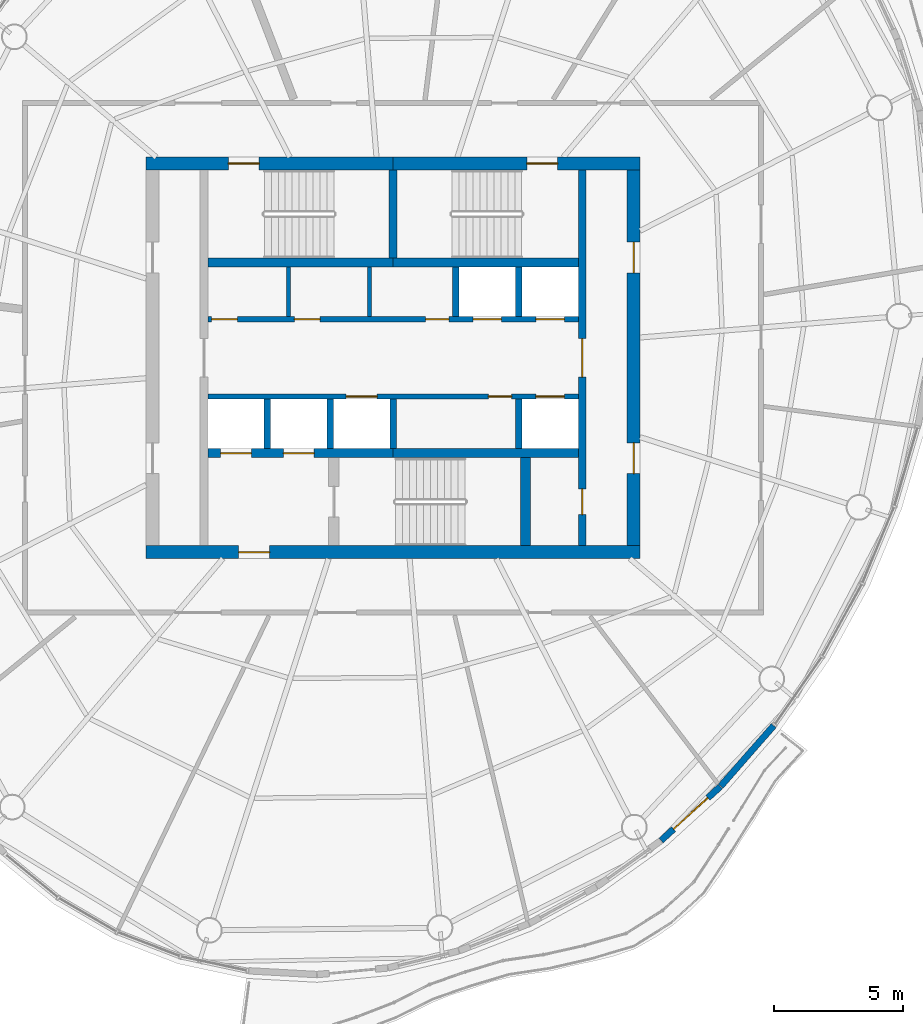
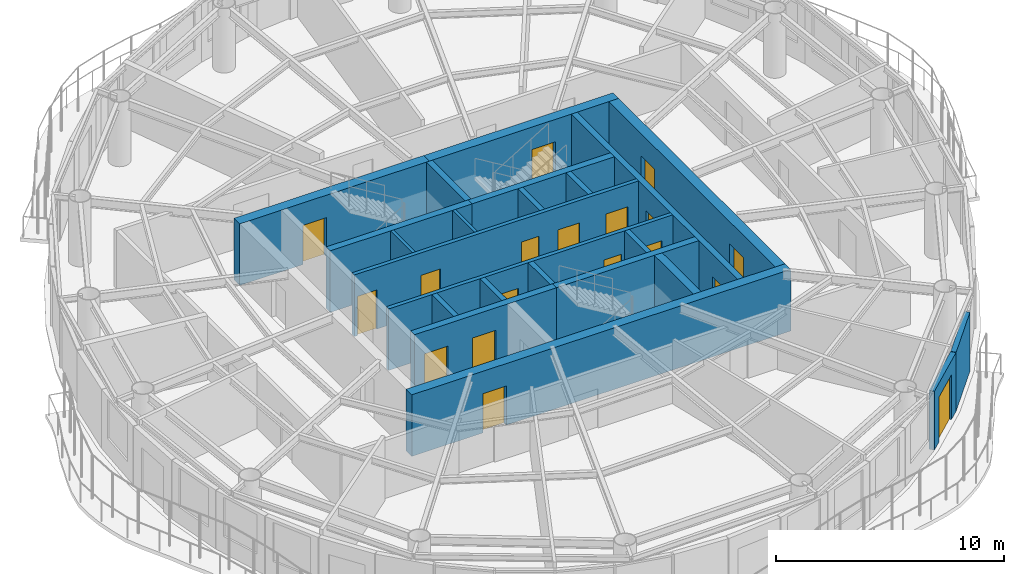
# One storey, part 8 of 13: 23 walls, 18 doors, 18 openings.
"""IFC4 building model written with IfcOpenShell, lengths in metres."""

from ifc_helpers import new_model, si_unit, direction, frame, frame_2d, origin, place, context, subcontext, project, spatial, rectangle, extrude, material, layer, layer_set, type_object, element, fill, save


model = new_model("IFC4")

# Units and contexts
model_context = context("Model", 3, precision=1e-05, world=origin(), true_north=direction((0.0, 1.0)))
body_context = subcontext(model_context, "Body", "Model", "MODEL_VIEW")
ifc_project = project(units=[si_unit("LENGTHUNIT", "METRE"), si_unit("AREAUNIT", "SQUARE_METRE"), si_unit("VOLUMEUNIT", "CUBIC_METRE"), si_unit("PLANEANGLEUNIT", "RADIAN"), si_unit("MASSUNIT", "GRAM", prefix="KILO")], contexts=[model_context])

# Site, building, storey
site_placement = place(None, origin())
site = spatial("IfcSite", under=ifc_project, at=site_placement, CompositionType="ELEMENT")
building_placement = place(site_placement, origin())
building = spatial("IfcBuilding", under=site, at=building_placement, Name="Vermilion Reach Broadcast Tower", CompositionType="ELEMENT")
storey_placement = place(building_placement, frame((0.0, 0.0, 290.10009765625)))
storey = spatial("IfcBuildingStorey", under=building, at=storey_placement, Name="L72", CompositionType="ELEMENT", Elevation=290.10009765625)

# Wall, openings, doors
ifc_material_1 = material(Name="Concrete C50", Category="concrete")
ifc_layer_1 = layer(ifc_material_1, 0.300048828125)
ifc_layer_set_1 = layer_set([ifc_layer_1], Name="Core inner wall 300 mm Concrete C50")
wall_type_1 = type_object("IfcWallType", Name="Core inner wall 300 mm Concrete C50", PredefinedType="SHEAR", material=ifc_layer_set_1)
wall_1_placement = place(storey_placement, frame((1.35009765625, -7.300048828125, 0.0), z_axis=(0.0, 0.0, 1.0), x_axis=(0.0, 1.0, 0.0)))
wall_1 = element("IfcWall", 1, at=wall_1_placement, inside=storey, type_object=wall_type_1, Name="L72 core wall ewE", PredefinedType="SHEAR", context=body_context, shape_type="SweptSolid", body=[
    extrude(rectangle(XDim=14.60009765625, YDim=0.300048828125, at=frame_2d((7.300048828125, 0.0))), origin(), (0.0, 0.0, 1.0), 3.2998046875),
])
opening_1_placement = place(wall_1_placement, frame((1.2099609375, 0.0, 0.0)))
opening_1 = element("IfcOpeningElement", 2, at=opening_1_placement, cuts=wall_1, Name="Opening D05", PredefinedType="OPENING", context=body_context, shape_type="SweptSolid", body=[
    extrude(rectangle(XDim=1.0, YDim=2.10009765625, at=frame_2d((0.5, 1.050048828125))), frame((0.0, 0.159912109375, 0.0), z_axis=(0.0, -1.0, 0.0), x_axis=(1.0, 0.0, 0.0)), (0.0, 0.0, 1.0), 0.320068359375),
])
opening_2_placement = place(wall_1_placement, frame((6.550048828125, 0.0, 0.0)))
opening_2 = element("IfcOpeningElement", 3, at=opening_2_placement, cuts=wall_1, Name="Opening D04", PredefinedType="OPENING", context=body_context, shape_type="SweptSolid", body=[
    extrude(rectangle(XDim=1.5, YDim=2.10009765625, at=frame_2d((0.75, 1.050048828125))), frame((0.0, 0.159912109375, 0.0), z_axis=(0.0, -1.0, 0.0), x_axis=(1.0, 0.0, 0.0)), (0.0, 0.0, 1.0), 0.320068359375),
])
ifc_material_2 = material(Name="Painted steel fire door", Category="steel")
door_type_1 = type_object("IfcDoorType", Name="Lift lobby door 1500 x 2100", OperationType="DOUBLE_DOOR_SINGLE_SWING", PredefinedType="NOTDEFINED", material=ifc_material_2)
door_1_placement = place(opening_2_placement, origin())
door_1 = element("IfcDoor", 4, at=door_1_placement, inside=storey, type_object=door_type_1, Name="L72 band door BE", OperationType="DOUBLE_DOOR_SINGLE_SWING", OverallHeight=2.10009765625, OverallWidth=1.5, PredefinedType="NOTDEFINED", context=body_context, shape_type="SweptSolid", body=[
    extrude(rectangle(XDim=1.5, YDim=2.10009765625, at=frame_2d((0.75, 1.050048828125))), frame((0.0, 0.02490234375, 0.0), z_axis=(0.0, -1.0, 0.0), x_axis=(1.0, 0.0, 0.0)), (0.0, 0.0, 1.0), 0.050048828125),
])
fill(opening_2, door_1)
ifc_material_3 = material(Name="Timber door", Category="wood")
door_type_2 = type_object("IfcDoorType", Name="Room door 1000 x 2100", OperationType="NOTDEFINED", PredefinedType="NOTDEFINED", material=ifc_material_3)
door_2_placement = place(opening_1_placement, origin())
door_2 = element("IfcDoor", 5, at=door_2_placement, inside=storey, type_object=door_type_2, Name="L72 door SER", OperationType="SINGLE_SWING_LEFT", OverallHeight=2.10009765625, OverallWidth=1.0, PredefinedType="NOTDEFINED", context=body_context, shape_type="SweptSolid", body=[
    extrude(rectangle(XDim=1.0, YDim=2.10009765625, at=frame_2d((0.5, 1.050048828125))), frame((0.0, 0.02490234375, 0.0), z_axis=(0.0, -1.0, 0.0), x_axis=(1.0, 0.0, 0.0)), (0.0, 0.0, 1.0), 0.050048828125),
])
fill(opening_1, door_2)

# Walls
wall_2_placement = place(storey_placement, frame((-6.0, 3.8798828125, 0.0), z_axis=(0.0, 0.0, 1.0), x_axis=(0.0, 1.0, 0.0)))
element("IfcWall", 6, at=wall_2_placement, inside=storey, type_object=wall_type_1, Name="L72 core wall wc", PredefinedType="SHEAR", context=body_context, shape_type="SweptSolid", body=[
    extrude(rectangle(XDim=3.420166015625, YDim=0.300048828125, at=frame_2d((1.7099609375, 0.0))), origin(), (0.0, 0.0, 1.0), 3.2998046875),
])
ifc_material_4 = material(Name="Concrete C50", Category="concrete")
ifc_layer_2 = layer(ifc_material_4, 0.35009765625)
ifc_layer_set_2 = layer_set([ifc_layer_2], Name="Core inner wall 350 mm Concrete C50")
wall_type_2 = type_object("IfcWallType", Name="Core inner wall 350 mm Concrete C50", PredefinedType="SHEAR", material=ifc_layer_set_2)
for number, where, z_axis, x_axis, name in (
    (7, (-13.199951171875, 3.705078125, 0.0), (0.0, 0.0, 1.0), (1.0, 0.0, 0.0), "L72 core wall winW"),
    (8, (-6.0, 3.705078125, 0.0), (0.0, 0.0, 1.0), (1.0, 0.0, 0.0), "L72 core wall winE"),
):
    element("IfcWall", number, at=place(storey_placement, frame(where, z_axis=z_axis, x_axis=x_axis)), inside=storey, type_object=wall_type_2, Name=name, PredefinedType="SHEAR", context=body_context, shape_type="SweptSolid", body=[
        extrude(rectangle(XDim=7.199951171875, YDim=0.35009765625, at=frame_2d((3.60009765625, 0.0))), origin(), (0.0, 0.0, 1.0), 3.2998046875),
    ])

# Wall, openings, doors
wall_3_placement = place(storey_placement, frame((-13.199951171875, -3.705078125, 0.0), z_axis=(0.0, 0.0, 1.0), x_axis=(1.0, 0.0, 0.0)))
wall_3 = element("IfcWall", 9, at=wall_3_placement, inside=storey, type_object=wall_type_2, Name="L72 core wall wisW", PredefinedType="SHEAR", context=body_context, shape_type="SweptSolid", body=[
    extrude(rectangle(XDim=7.199951171875, YDim=0.35009765625, at=frame_2d((3.60009765625, 0.0))), origin(), (0.0, 0.0, 1.0), 3.2998046875),
])
opening_3_placement = place(wall_3_placement, frame((0.495849609375, 0.0, 0.0)))
opening_3 = element("IfcOpeningElement", 10, at=opening_3_placement, cuts=wall_3, Name="Opening LD1", PredefinedType="OPENING", context=body_context, shape_type="SweptSolid", body=[
    extrude(rectangle(XDim=1.199951171875, YDim=2.10009765625, at=frame_2d((0.60009765625, 1.050048828125))), frame((0.0, 0.18505859375, 0.0), z_axis=(0.0, -1.0, 0.0), x_axis=(1.0, 0.0, 0.0)), (0.0, 0.0, 1.0), 0.3701171875),
])
opening_4_placement = place(wall_3_placement, frame((2.9375, 0.0, 0.0)))
opening_4 = element("IfcOpeningElement", 11, at=opening_4_placement, cuts=wall_3, Name="Opening LD1", PredefinedType="OPENING", context=body_context, shape_type="SweptSolid", body=[
    extrude(rectangle(XDim=1.199951171875, YDim=2.10009765625, at=frame_2d((0.60009765625, 1.050048828125))), frame((0.0, 0.18505859375, 0.0), z_axis=(0.0, -1.0, 0.0), x_axis=(1.0, 0.0, 0.0)), (0.0, 0.0, 1.0), 0.3701171875),
])
ifc_material_5 = material(Name="Stainless steel", Category="steel")
door_type_3 = type_object("IfcDoorType", Name="Landing door 1200 x 2100", OperationType="DOUBLE_DOOR_SLIDING", PredefinedType="NOTDEFINED", material=ifc_material_5)
door_3_placement = place(opening_3_placement, origin())
door_3 = element("IfcDoor", 12, at=door_3_placement, inside=storey, type_object=door_type_3, Name="L72 landing door FF1", OperationType="DOUBLE_DOOR_SLIDING", OverallHeight=2.10009765625, OverallWidth=1.199951171875, PredefinedType="NOTDEFINED", context=body_context, shape_type="SweptSolid", body=[
    extrude(rectangle(XDim=1.199951171875, YDim=2.10009765625, at=frame_2d((0.60009765625, 1.050048828125))), frame((0.0, 0.02490234375, 0.0), z_axis=(0.0, -1.0, 0.0), x_axis=(1.0, 0.0, 0.0)), (0.0, 0.0, 1.0), 0.050048828125),
])
fill(opening_3, door_3)
door_4_placement = place(opening_4_placement, origin())
door_4 = element("IfcDoor", 13, at=door_4_placement, inside=storey, type_object=door_type_3, Name="L72 landing door FF2", OperationType="DOUBLE_DOOR_SLIDING", OverallHeight=2.10009765625, OverallWidth=1.199951171875, PredefinedType="NOTDEFINED", context=body_context, shape_type="SweptSolid", body=[
    extrude(rectangle(XDim=1.199951171875, YDim=2.10009765625, at=frame_2d((0.60009765625, 1.050048828125))), frame((0.0, 0.02490234375, 0.0), z_axis=(0.0, -1.0, 0.0), x_axis=(1.0, 0.0, 0.0)), (0.0, 0.0, 1.0), 0.050048828125),
])
fill(opening_4, door_4)

# Walls
wall_4_placement = place(storey_placement, frame((-6.0, -3.705078125, 0.0), z_axis=(0.0, 0.0, 1.0), x_axis=(1.0, 0.0, 0.0)))
element("IfcWall", 14, at=wall_4_placement, inside=storey, type_object=wall_type_2, Name="L72 core wall wisE", PredefinedType="SHEAR", context=body_context, shape_type="SweptSolid", body=[
    extrude(rectangle(XDim=7.199951171875, YDim=0.35009765625, at=frame_2d((3.60009765625, 0.0))), origin(), (0.0, 0.0, 1.0), 3.2998046875),
])
ifc_material_6 = material(Name="Concrete C50", Category="concrete")
ifc_layer_3 = layer(ifc_material_6, 0.39990234375)
ifc_layer_set_3 = layer_set([ifc_layer_3], Name="Core inner wall 400 mm Concrete C50")
wall_type_3 = type_object("IfcWallType", Name="Core inner wall 400 mm Concrete C50", PredefinedType="SHEAR", material=ifc_layer_set_3)
wall_5_placement = place(storey_placement, frame((-0.85009765625, -3.8798828125, 0.0), z_axis=(0.0, 0.0, 1.0), x_axis=(0.0, -1.0, 0.0)))
element("IfcWall", 15, at=wall_5_placement, inside=storey, type_object=wall_type_3, Name="L72 core wall wb", PredefinedType="SHEAR", context=body_context, shape_type="SweptSolid", body=[
    extrude(rectangle(XDim=3.420166015625, YDim=0.39990234375, at=frame_2d((1.7099609375, 0.0))), origin(), (0.0, 0.0, 1.0), 3.2998046875),
])

# Wall, opening, door
ifc_material_7 = material(Name="Concrete C50", Category="concrete")
ifc_layer_4 = layer(ifc_material_7, 0.5)
ifc_layer_set_4 = layer_set([ifc_layer_4], Name="Core outer wall 500 mm Concrete C50")
wall_type_4 = type_object("IfcWallType", Name="Core outer wall 500 mm Concrete C50", PredefinedType="SHEAR", material=ifc_layer_set_4)
wall_6_placement = place(storey_placement, frame((3.60009765625, 7.550048828125, 0.0), z_axis=(0.0, 0.0, 1.0), x_axis=(-1.0, 0.0, 0.0)))
wall_6 = element("IfcWall", 16, at=wall_6_placement, inside=storey, type_object=wall_type_4, Name="L72 core wall onE", PredefinedType="SHEAR", context=body_context, shape_type="SweptSolid", body=[
    extrude(rectangle(XDim=9.60009765625, YDim=0.5, at=frame_2d((4.800048828125, 0.0))), origin(), (0.0, 0.0, 1.0), 3.2998046875),
])
opening_5_placement = place(wall_6_placement, frame((3.199951171875, 0.0, 0.0)))
opening_5 = element("IfcOpeningElement", 17, at=opening_5_placement, cuts=wall_6, Name="Opening D01", PredefinedType="OPENING", context=body_context, shape_type="SweptSolid", body=[
    extrude(rectangle(XDim=1.199951171875, YDim=2.10009765625, at=frame_2d((0.60009765625, 1.050048828125))), frame((0.0, 0.260009765625, 0.0), z_axis=(0.0, -1.0, 0.0), x_axis=(1.0, 0.0, 0.0)), (0.0, 0.0, 1.0), 0.52001953125),
])
ifc_material_8 = material(Name="Painted steel fire door", Category="steel")
door_type_4 = type_object("IfcDoorType", Name="Stair door 1200 x 2100", OperationType="DOUBLE_DOOR_SINGLE_SWING", PredefinedType="NOTDEFINED", material=ifc_material_8)
door_5_placement = place(opening_5_placement, origin())
door_5 = element("IfcDoor", 18, at=door_5_placement, inside=storey, type_object=door_type_4, Name="L72 stair door ST2", OperationType="DOUBLE_DOOR_SINGLE_SWING", OverallHeight=2.10009765625, OverallWidth=1.199951171875, PredefinedType="NOTDEFINED", context=body_context, shape_type="SweptSolid", body=[
    extrude(rectangle(XDim=1.199951171875, YDim=2.10009765625, at=frame_2d((0.60009765625, 1.050048828125))), frame((0.0, 0.02490234375, 0.0), z_axis=(0.0, -1.0, 0.0), x_axis=(1.0, 0.0, 0.0)), (0.0, 0.0, 1.0), 0.050048828125),
])
fill(opening_5, door_5)

wall_7_placement = place(storey_placement, frame((-6.0, 7.550048828125, 0.0), z_axis=(0.0, 0.0, 1.0), x_axis=(-1.0, 0.0, 0.0)))
wall_7 = element("IfcWall", 19, at=wall_7_placement, inside=storey, type_object=wall_type_4, Name="L72 core wall onW", PredefinedType="SHEAR", context=body_context, shape_type="SweptSolid", body=[
    extrude(rectangle(XDim=9.60009765625, YDim=0.5, at=frame_2d((4.800048828125, 0.0))), origin(), (0.0, 0.0, 1.0), 3.2998046875),
])
opening_6_placement = place(wall_7_placement, frame((5.199951171875, 0.0, 0.0)))
opening_6 = element("IfcOpeningElement", 20, at=opening_6_placement, cuts=wall_7, Name="Opening D01", PredefinedType="OPENING", context=body_context, shape_type="SweptSolid", body=[
    extrude(rectangle(XDim=1.199951171875, YDim=2.10009765625, at=frame_2d((0.60009765625, 1.050048828125))), frame((0.0, 0.260009765625, 0.0), z_axis=(0.0, -1.0, 0.0), x_axis=(1.0, 0.0, 0.0)), (0.0, 0.0, 1.0), 0.52001953125),
])
door_6_placement = place(opening_6_placement, origin())
door_6 = element("IfcDoor", 21, at=door_6_placement, inside=storey, type_object=door_type_4, Name="L72 stair door ST1", OperationType="DOUBLE_DOOR_SINGLE_SWING", OverallHeight=2.10009765625, OverallWidth=1.199951171875, PredefinedType="NOTDEFINED", context=body_context, shape_type="SweptSolid", body=[
    extrude(rectangle(XDim=1.199951171875, YDim=2.10009765625, at=frame_2d((0.60009765625, 1.050048828125))), frame((0.0, 0.02490234375, 0.0), z_axis=(0.0, -1.0, 0.0), x_axis=(1.0, 0.0, 0.0)), (0.0, 0.0, 1.0), 0.050048828125),
])
fill(opening_6, door_6)

wall_8_placement = place(storey_placement, frame((-15.60009765625, -7.550048828125, 0.0), z_axis=(0.0, 0.0, 1.0), x_axis=(1.0, 0.0, 0.0)))
wall_8 = element("IfcWall", 22, at=wall_8_placement, inside=storey, type_object=wall_type_4, Name="L72 core wall os", PredefinedType="SHEAR", context=body_context, shape_type="SweptSolid", body=[
    extrude(rectangle(XDim=19.2001953125, YDim=0.5, at=frame_2d((9.60009765625, 0.0))), origin(), (0.0, 0.0, 1.0), 3.2998046875),
])
opening_7_placement = place(wall_8_placement, frame((3.60009765625, 0.0, 0.0)))
opening_7 = element("IfcOpeningElement", 23, at=opening_7_placement, cuts=wall_8, Name="Opening D02", PredefinedType="OPENING", context=body_context, shape_type="SweptSolid", body=[
    extrude(rectangle(XDim=1.199951171875, YDim=2.10009765625, at=frame_2d((0.60009765625, 1.050048828125))), frame((0.0, 0.260009765625, 0.0), z_axis=(0.0, -1.0, 0.0), x_axis=(1.0, 0.0, 0.0)), (0.0, 0.0, 1.0), 0.52001953125),
])
ifc_material_9 = material(Name="Painted steel fire door", Category="steel")
door_type_5 = type_object("IfcDoorType", Name="Firefighting lobby door 1200 x 2100", OperationType="DOUBLE_DOOR_SINGLE_SWING", PredefinedType="NOTDEFINED", material=ifc_material_9)
door_7_placement = place(opening_7_placement, origin())
door_7 = element("IfcDoor", 24, at=door_7_placement, inside=storey, type_object=door_type_5, Name="L72 ffdoor door FFL", OperationType="DOUBLE_DOOR_SINGLE_SWING", OverallHeight=2.10009765625, OverallWidth=1.199951171875, PredefinedType="NOTDEFINED", context=body_context, shape_type="SweptSolid", body=[
    extrude(rectangle(XDim=1.199951171875, YDim=2.10009765625, at=frame_2d((0.60009765625, 1.050048828125))), frame((0.0, 0.02490234375, 0.0), z_axis=(0.0, -1.0, 0.0), x_axis=(1.0, 0.0, 0.0)), (0.0, 0.0, 1.0), 0.050048828125),
])
fill(opening_7, door_7)

# Wall, openings, doors
wall_9_placement = place(storey_placement, frame((3.35009765625, -7.300048828125, 0.0), z_axis=(0.0, 0.0, 1.0), x_axis=(0.0, 1.0, 0.0)))
wall_9 = element("IfcWall", 25, at=wall_9_placement, inside=storey, type_object=wall_type_4, Name="L72 core wall oe", PredefinedType="SHEAR", context=body_context, shape_type="SweptSolid", body=[
    extrude(rectangle(XDim=14.60009765625, YDim=0.5, at=frame_2d((7.300048828125, 0.0))), origin(), (0.0, 0.0, 1.0), 3.2998046875),
])
opening_8_placement = place(wall_9_placement, frame((2.800048828125, 0.0, 0.0)))
opening_8 = element("IfcOpeningElement", 26, at=opening_8_placement, cuts=wall_9, Name="Opening D03", PredefinedType="OPENING", context=body_context, shape_type="SweptSolid", body=[
    extrude(rectangle(XDim=1.199951171875, YDim=2.10009765625, at=frame_2d((0.60009765625, 1.050048828125))), frame((0.0, 0.260009765625, 0.0), z_axis=(0.0, -1.0, 0.0), x_axis=(1.0, 0.0, 0.0)), (0.0, 0.0, 1.0), 0.52001953125),
])
opening_9_placement = place(wall_9_placement, frame((10.60009765625, 0.0, 0.0)))
opening_9 = element("IfcOpeningElement", 27, at=opening_9_placement, cuts=wall_9, Name="Opening D03", PredefinedType="OPENING", context=body_context, shape_type="SweptSolid", body=[
    extrude(rectangle(XDim=1.199951171875, YDim=2.10009765625, at=frame_2d((0.60009765625, 1.050048828125))), frame((0.0, 0.260009765625, 0.0), z_axis=(0.0, -1.0, 0.0), x_axis=(1.0, 0.0, 0.0)), (0.0, 0.0, 1.0), 0.52001953125),
])
ifc_material_10 = material(Name="Painted steel fire door", Category="steel")
door_type_6 = type_object("IfcDoorType", Name="Core lobby door 1200 x 2100", OperationType="DOUBLE_DOOR_SINGLE_SWING", PredefinedType="NOTDEFINED", material=ifc_material_10)
door_8_placement = place(opening_8_placement, origin())
door_8 = element("IfcDoor", 28, at=door_8_placement, inside=storey, type_object=door_type_6, Name="L72 slot door E0", OperationType="DOUBLE_DOOR_SINGLE_SWING", OverallHeight=2.10009765625, OverallWidth=1.199951171875, PredefinedType="NOTDEFINED", context=body_context, shape_type="SweptSolid", body=[
    extrude(rectangle(XDim=1.199951171875, YDim=2.10009765625, at=frame_2d((0.60009765625, 1.050048828125))), frame((0.0, 0.02490234375, 0.0), z_axis=(0.0, -1.0, 0.0), x_axis=(1.0, 0.0, 0.0)), (0.0, 0.0, 1.0), 0.050048828125),
])
fill(opening_8, door_8)
door_9_placement = place(opening_9_placement, origin())
door_9 = element("IfcDoor", 29, at=door_9_placement, inside=storey, type_object=door_type_6, Name="L72 slot door E1", OperationType="DOUBLE_DOOR_SINGLE_SWING", OverallHeight=2.10009765625, OverallWidth=1.199951171875, PredefinedType="NOTDEFINED", context=body_context, shape_type="SweptSolid", body=[
    extrude(rectangle(XDim=1.199951171875, YDim=2.10009765625, at=frame_2d((0.60009765625, 1.050048828125))), frame((0.0, 0.02490234375, 0.0), z_axis=(0.0, -1.0, 0.0), x_axis=(1.0, 0.0, 0.0)), (0.0, 0.0, 1.0), 0.050048828125),
])
fill(opening_9, door_9)

# Walls
ifc_material_11 = material(Name="Masonry block", Category="masonry")
ifc_layer_5 = layer(ifc_material_11, 0.14990234375)
ifc_layer_set_5 = layer_set([ifc_layer_5], Name="Core partition wall 150 mm Masonry block")
wall_type_5 = type_object("IfcWallType", Name="Core partition wall 150 mm Masonry block", PredefinedType="PARTITIONING", material=ifc_layer_set_5)
for number, where, z_axis, x_axis, name in (
    (30, (-10.0595703125, 1.60009765625, 0.0), (0.0, 0.0, 1.0), (0.0, 1.0, 0.0), "L72 core wall prN-4060"),
    (31, (-6.9189453125, 1.60009765625, 0.0), (0.0, 0.0, 1.0), (0.0, 1.0, 0.0), "L72 core wall prN-919"),
):
    element("IfcWall", number, at=place(storey_placement, frame(where, z_axis=z_axis, x_axis=x_axis)), inside=storey, type_object=wall_type_5, Name=name, PredefinedType="PARTITIONING", context=body_context, shape_type="SweptSolid", body=[
        extrude(rectangle(XDim=1.929931640625, YDim=0.14990234375, at=frame_2d((0.96484375, 0.0))), origin(), (0.0, 0.0, 1.0), 3.2998046875),
    ])

# Wall, openings, doors
ifc_material_12 = material(Name="Concrete C50", Category="concrete")
ifc_layer_6 = layer(ifc_material_12, 0.199951171875)
ifc_layer_set_6 = layer_set([ifc_layer_6], Name="Core shaft wall 200 mm Concrete C50")
wall_type_6 = type_object("IfcWallType", Name="Core shaft wall 200 mm Concrete C50", PredefinedType="SHEAR", material=ifc_layer_set_6)
wall_10_placement = place(storey_placement, frame((-13.199951171875, 1.5, 0.0), z_axis=(0.0, 0.0, 1.0), x_axis=(1.0, 0.0, 0.0)))
wall_10 = element("IfcWall", 32, at=wall_10_placement, inside=storey, type_object=wall_type_6, Name="L72 core wall fn", PredefinedType="SHEAR", context=body_context, shape_type="SweptSolid", body=[
    extrude(rectangle(XDim=14.39990234375, YDim=0.199951171875, at=frame_2d((7.199951171875, 0.0))), origin(), (0.0, 0.0, 1.0), 3.2998046875),
])
opening_10_placement = place(wall_10_placement, frame((10.3125, 0.0, 0.0)))
opening_10 = element("IfcOpeningElement", 33, at=opening_10_placement, cuts=wall_10, Name="Opening LD2", PredefinedType="OPENING", context=body_context, shape_type="SweptSolid", body=[
    extrude(rectangle(XDim=1.10009765625, YDim=2.10009765625, at=frame_2d((0.550048828125, 1.050048828125))), frame((0.0, 0.10986328125, 0.0), z_axis=(0.0, -1.0, 0.0), x_axis=(1.0, 0.0, 0.0)), (0.0, 0.0, 1.0), 0.219970703125),
])
opening_11_placement = place(wall_10_placement, frame((12.754150390625, 0.0, 0.0)))
opening_11 = element("IfcOpeningElement", 34, at=opening_11_placement, cuts=wall_10, Name="Opening LD2", PredefinedType="OPENING", context=body_context, shape_type="SweptSolid", body=[
    extrude(rectangle(XDim=1.10009765625, YDim=2.10009765625, at=frame_2d((0.550048828125, 1.050048828125))), frame((0.0, 0.10986328125, 0.0), z_axis=(0.0, -1.0, 0.0), x_axis=(1.0, 0.0, 0.0)), (0.0, 0.0, 1.0), 0.219970703125),
])
opening_12_placement = place(wall_10_placement, frame((0.14990234375, 0.0, 0.0)))
opening_12 = element("IfcOpeningElement", 35, at=opening_12_placement, cuts=wall_10, Name="Opening D07", PredefinedType="OPENING", context=body_context, shape_type="SweptSolid", body=[
    extrude(rectangle(XDim=1.0, YDim=2.10009765625, at=frame_2d((0.5, 1.050048828125))), frame((0.0, 0.10986328125, 0.0), z_axis=(0.0, -1.0, 0.0), x_axis=(1.0, 0.0, 0.0)), (0.0, 0.0, 1.0), 0.219970703125),
])
opening_13_placement = place(wall_10_placement, frame((3.365478515625, 0.0, 0.0)))
opening_13 = element("IfcOpeningElement", 36, at=opening_13_placement, cuts=wall_10, Name="Opening D10", PredefinedType="OPENING", context=body_context, shape_type="SweptSolid", body=[
    extrude(rectangle(XDim=1.0, YDim=2.10009765625, at=frame_2d((0.5, 1.050048828125))), frame((0.0, 0.10986328125, 0.0), z_axis=(0.0, -1.0, 0.0), x_axis=(1.0, 0.0, 0.0)), (0.0, 0.0, 1.0), 0.219970703125),
])
opening_14_placement = place(wall_10_placement, frame((8.466552734375, 0.0, 0.0)))
opening_14 = element("IfcOpeningElement", 37, at=opening_14_placement, cuts=wall_10, Name="Opening D06", PredefinedType="OPENING", context=body_context, shape_type="SweptSolid", body=[
    extrude(rectangle(XDim=0.89990234375, YDim=2.10009765625, at=frame_2d((0.449951171875, 1.050048828125))), frame((0.0, 0.10986328125, 0.0), z_axis=(0.0, -1.0, 0.0), x_axis=(1.0, 0.0, 0.0)), (0.0, 0.0, 1.0), 0.219970703125),
])
ifc_material_13 = material(Name="Timber door", Category="wood")
door_type_7 = type_object("IfcDoorType", Name="Accessible WC door 1000 x 2100", OperationType="NOTDEFINED", PredefinedType="NOTDEFINED", material=ifc_material_13)
door_10_placement = place(opening_12_placement, origin())
door_10 = element("IfcDoor", 38, at=door_10_placement, inside=storey, type_object=door_type_7, Name="L72 door Accessible WC", OperationType="SINGLE_SWING_LEFT", OverallHeight=2.10009765625, OverallWidth=1.0, PredefinedType="NOTDEFINED", context=body_context, shape_type="SweptSolid", body=[
    extrude(rectangle(XDim=1.0, YDim=2.10009765625, at=frame_2d((0.5, 1.050048828125))), frame((0.0, 0.02490234375, 0.0), z_axis=(0.0, -1.0, 0.0), x_axis=(1.0, 0.0, 0.0)), (0.0, 0.0, 1.0), 0.050048828125),
])
fill(opening_12, door_10)
ifc_material_14 = material(Name="Stainless steel", Category="steel")
door_type_8 = type_object("IfcDoorType", Name="Landing door 1100 x 2100", OperationType="DOUBLE_DOOR_SLIDING", PredefinedType="NOTDEFINED", material=ifc_material_14)
door_11_placement = place(opening_10_placement, origin())
door_11 = element("IfcDoor", 39, at=door_11_placement, inside=storey, type_object=door_type_8, Name="L72 landing door HR1", OperationType="DOUBLE_DOOR_SLIDING", OverallHeight=2.10009765625, OverallWidth=1.10009765625, PredefinedType="NOTDEFINED", context=body_context, shape_type="SweptSolid", body=[
    extrude(rectangle(XDim=1.10009765625, YDim=2.10009765625, at=frame_2d((0.550048828125, 1.050048828125))), frame((0.0, 0.02490234375, 0.0), z_axis=(0.0, -1.0, 0.0), x_axis=(1.0, 0.0, 0.0)), (0.0, 0.0, 1.0), 0.050048828125),
])
fill(opening_10, door_11)
door_12_placement = place(opening_11_placement, origin())
door_12 = element("IfcDoor", 40, at=door_12_placement, inside=storey, type_object=door_type_8, Name="L72 landing door HR2", OperationType="DOUBLE_DOOR_SLIDING", OverallHeight=2.10009765625, OverallWidth=1.10009765625, PredefinedType="NOTDEFINED", context=body_context, shape_type="SweptSolid", body=[
    extrude(rectangle(XDim=1.10009765625, YDim=2.10009765625, at=frame_2d((0.550048828125, 1.050048828125))), frame((0.0, 0.02490234375, 0.0), z_axis=(0.0, -1.0, 0.0), x_axis=(1.0, 0.0, 0.0)), (0.0, 0.0, 1.0), 0.050048828125),
])
fill(opening_11, door_12)
ifc_material_15 = material(Name="Timber door", Category="wood")
door_type_9 = type_object("IfcDoorType", Name="WC door 900 x 2100", OperationType="NOTDEFINED", PredefinedType="NOTDEFINED", material=ifc_material_15)
door_13_placement = place(opening_14_placement, origin())
door_13 = element("IfcDoor", 41, at=door_13_placement, inside=storey, type_object=door_type_9, Name="L72 door Male WC", OperationType="SINGLE_SWING_RIGHT", OverallHeight=2.10009765625, OverallWidth=0.89990234375, PredefinedType="NOTDEFINED", context=body_context, shape_type="SweptSolid", body=[
    extrude(rectangle(XDim=0.89990234375, YDim=2.10009765625, at=frame_2d((0.449951171875, 1.050048828125))), frame((0.0, 0.02490234375, 0.0), z_axis=(0.0, -1.0, 0.0), x_axis=(1.0, 0.0, 0.0)), (0.0, 0.0, 1.0), 0.050048828125),
])
fill(opening_14, door_13)
ifc_material_16 = material(Name="Timber door", Category="wood")
door_type_10 = type_object("IfcDoorType", Name="WC lobby door 1000 x 2100", OperationType="NOTDEFINED", PredefinedType="NOTDEFINED", material=ifc_material_16)
door_14_placement = place(opening_13_placement, origin())
door_14 = element("IfcDoor", 42, at=door_14_placement, inside=storey, type_object=door_type_10, Name="L72 door WC lobby", OperationType="SINGLE_SWING_LEFT", OverallHeight=2.10009765625, OverallWidth=1.0, PredefinedType="NOTDEFINED", context=body_context, shape_type="SweptSolid", body=[
    extrude(rectangle(XDim=1.0, YDim=2.10009765625, at=frame_2d((0.5, 1.050048828125))), frame((0.0, 0.02490234375, 0.0), z_axis=(0.0, -1.0, 0.0), x_axis=(1.0, 0.0, 0.0)), (0.0, 0.0, 1.0), 0.050048828125),
])
fill(opening_13, door_14)

wall_11_placement = place(storey_placement, frame((1.199951171875, -1.5, 0.0), z_axis=(0.0, 0.0, 1.0), x_axis=(-1.0, 0.0, 0.0)))
wall_11 = element("IfcWall", 43, at=wall_11_placement, inside=storey, type_object=wall_type_6, Name="L72 core wall fs", PredefinedType="SHEAR", context=body_context, shape_type="SweptSolid", body=[
    extrude(rectangle(XDim=14.39990234375, YDim=0.199951171875, at=frame_2d((7.199951171875, 0.0))), origin(), (0.0, 0.0, 1.0), 3.2998046875),
])
opening_15_placement = place(wall_11_placement, frame((7.82080078125, 0.0, 0.0)))
opening_15 = element("IfcOpeningElement", 44, at=opening_15_placement, cuts=wall_11, Name="Opening LD1", PredefinedType="OPENING", context=body_context, shape_type="SweptSolid", body=[
    extrude(rectangle(XDim=1.199951171875, YDim=2.10009765625, at=frame_2d((0.60009765625, 1.050048828125))), frame((0.0, 0.10986328125, 0.0), z_axis=(0.0, -1.0, 0.0), x_axis=(1.0, 0.0, 0.0)), (0.0, 0.0, 1.0), 0.219970703125),
])
opening_16_placement = place(wall_11_placement, frame((0.5458984375, 0.0, 0.0)))
opening_16 = element("IfcOpeningElement", 45, at=opening_16_placement, cuts=wall_11, Name="Opening LD2", PredefinedType="OPENING", context=body_context, shape_type="SweptSolid", body=[
    extrude(rectangle(XDim=1.10009765625, YDim=2.10009765625, at=frame_2d((0.550048828125, 1.050048828125))), frame((0.0, 0.10986328125, 0.0), z_axis=(0.0, -1.0, 0.0), x_axis=(1.0, 0.0, 0.0)), (0.0, 0.0, 1.0), 0.219970703125),
])
opening_17_placement = place(wall_11_placement, frame((2.591552734375, 0.0, 0.0)))
opening_17 = element("IfcOpeningElement", 46, at=opening_17_placement, cuts=wall_11, Name="Opening D06", PredefinedType="OPENING", context=body_context, shape_type="SweptSolid", body=[
    extrude(rectangle(XDim=0.89990234375, YDim=2.10009765625, at=frame_2d((0.449951171875, 1.050048828125))), frame((0.0, 0.10986328125, 0.0), z_axis=(0.0, -1.0, 0.0), x_axis=(1.0, 0.0, 0.0)), (0.0, 0.0, 1.0), 0.219970703125),
])
door_15_placement = place(opening_16_placement, origin())
door_15 = element("IfcDoor", 47, at=door_15_placement, inside=storey, type_object=door_type_8, Name="L72 landing door HR3", OperationType="DOUBLE_DOOR_SLIDING", OverallHeight=2.10009765625, OverallWidth=1.10009765625, PredefinedType="NOTDEFINED", context=body_context, shape_type="SweptSolid", body=[
    extrude(rectangle(XDim=1.10009765625, YDim=2.10009765625, at=frame_2d((0.550048828125, 1.050048828125))), frame((0.0, 0.02490234375, 0.0), z_axis=(0.0, -1.0, 0.0), x_axis=(1.0, 0.0, 0.0)), (0.0, 0.0, 1.0), 0.050048828125),
])
fill(opening_16, door_15)
door_16_placement = place(opening_15_placement, origin())
door_16 = element("IfcDoor", 48, at=door_16_placement, inside=storey, type_object=door_type_3, Name="L72 landing door SV1", OperationType="DOUBLE_DOOR_SLIDING", OverallHeight=2.10009765625, OverallWidth=1.199951171875, PredefinedType="NOTDEFINED", context=body_context, shape_type="SweptSolid", body=[
    extrude(rectangle(XDim=1.199951171875, YDim=2.10009765625, at=frame_2d((0.60009765625, 1.050048828125))), frame((0.0, 0.02490234375, 0.0), z_axis=(0.0, -1.0, 0.0), x_axis=(1.0, 0.0, 0.0)), (0.0, 0.0, 1.0), 0.050048828125),
])
fill(opening_15, door_16)
door_17_placement = place(opening_17_placement, origin())
door_17 = element("IfcDoor", 49, at=door_17_placement, inside=storey, type_object=door_type_9, Name="L72 door Female WC", OperationType="SINGLE_SWING_LEFT", OverallHeight=2.10009765625, OverallWidth=0.89990234375, PredefinedType="NOTDEFINED", context=body_context, shape_type="SweptSolid", body=[
    extrude(rectangle(XDim=0.89990234375, YDim=2.10009765625, at=frame_2d((0.449951171875, 1.050048828125))), frame((0.0, 0.02490234375, 0.0), z_axis=(0.0, -1.0, 0.0), x_axis=(1.0, 0.0, 0.0)), (0.0, 0.0, 1.0), 0.050048828125),
])
fill(opening_17, door_17)

# Walls
ifc_material_17 = material(Name="Concrete C50", Category="concrete")
ifc_layer_7 = layer(ifc_material_17, 0.25)
ifc_layer_set_7 = layer_set([ifc_layer_7], Name="Core shaft wall 250 mm Concrete C50")
wall_type_7 = type_object("IfcWallType", Name="Core shaft wall 250 mm Concrete C50", PredefinedType="SHEAR", material=ifc_layer_set_7)
for number, where, z_axis, x_axis, name in (
    (50, (-3.558349609375, 1.60009765625, 0.0), (0.0, 0.0, 1.0), (0.0, 1.0, 0.0), "L72 core wall psN3"),
    (51, (-1.11669921875, 1.60009765625, 0.0), (0.0, 0.0, 1.0), (0.0, 1.0, 0.0), "L72 core wall psN4"),
    (52, (-10.88330078125, -1.60009765625, 0.0), (0.0, 0.0, 1.0), (0.0, -1.0, 0.0), "L72 core wall psS0"),
    (53, (-8.441650390625, -1.60009765625, 0.0), (0.0, 0.0, 1.0), (0.0, -1.0, 0.0), "L72 core wall psS1"),
    (54, (-6.0, -1.60009765625, 0.0), (0.0, 0.0, 1.0), (0.0, -1.0, 0.0), "L72 core wall psS2"),
    (55, (-1.11669921875, -1.60009765625, 0.0), (0.0, 0.0, 1.0), (0.0, -1.0, 0.0), "L72 core wall psS4"),
):
    element("IfcWall", number, at=place(storey_placement, frame(where, z_axis=z_axis, x_axis=x_axis)), inside=storey, type_object=wall_type_7, Name=name, PredefinedType="SHEAR", context=body_context, shape_type="SweptSolid", body=[
        extrude(rectangle(XDim=1.929931640625, YDim=0.25, at=frame_2d((0.96484375, 0.0))), origin(), (0.0, 0.0, 1.0), 3.2998046875),
    ])

# Wall, opening, door
ifc_material_18 = material(Name="Terracotta rainscreen cladding", Category="masonry")
ifc_layer_8 = layer(ifc_material_18, 0.25)
ifc_layer_set_8 = layer_set([ifc_layer_8], Name="Terracotta rainscreen wall 250")
wall_type_8 = type_object("IfcWallType", Name="Terracotta rainscreen wall 250", PredefinedType="SOLIDWALL", material=ifc_layer_set_8)
wall_12_placement = place(storey_placement, frame((4.41552734375, -18.755126953125, 0.0), z_axis=(0.0, 0.0, 1.0), x_axis=(0.739421840392, 0.673242409502, 0.0)))
wall_12 = element("IfcWall", 56, at=wall_12_placement, inside=storey, type_object=wall_type_8, Name="External wall L72 32", PredefinedType="SOLIDWALL", context=body_context, shape_type="SweptSolid", body=[
    extrude(rectangle(XDim=3.113525390625, YDim=0.25, at=frame_2d((1.556640625, 0.0))), origin(), (0.0, 0.0, 1.0), 3.14990234375),
])
opening_18_placement = place(wall_12_placement, frame((0.656982421875, 0.0, 0.0)))
opening_18 = element("IfcOpeningElement", 57, at=opening_18_placement, cuts=wall_12, Name="Opening D70", PredefinedType="OPENING", context=body_context, shape_type="SweptSolid", body=[
    extrude(rectangle(XDim=1.800048828125, YDim=2.39990234375, at=frame_2d((0.89990234375, 1.199951171875))), frame((0.0, 0.135009765625, 0.0), z_axis=(0.0, -1.0, 0.0), x_axis=(1.0, 0.0, 0.0)), (0.0, 0.0, 1.0), 0.27001953125),
])
ifc_material_19 = material(Name="Low-e laminated clear glass in aluminium frame", Category="aluminium")
door_type_11 = type_object("IfcDoorType", Name="Balcony sliding door 1800 x 2400", OperationType="DOUBLE_DOOR_SLIDING", PredefinedType="DOOR", material=ifc_material_19)
door_18_placement = place(opening_18_placement, origin())
door_18 = element("IfcDoor", 58, at=door_18_placement, inside=storey, type_object=door_type_11, Name="Balcony door L72 run 08", OperationType="DOUBLE_DOOR_SLIDING", OverallHeight=2.39990234375, OverallWidth=1.800048828125, PredefinedType="DOOR", context=body_context, shape_type="SweptSolid", body=[
    extrude(rectangle(XDim=1.800048828125, YDim=2.39990234375, at=frame_2d((0.89990234375, 1.199951171875))), frame((0.0, 0.02490234375, 0.0), z_axis=(0.0, -1.0, 0.0), x_axis=(1.0, 0.0, 0.0)), (0.0, 0.0, 1.0), 0.050048828125),
])
fill(opening_18, door_18)

# Wall
wall_13_placement = place(storey_placement, frame((6.7333984375, -16.643310546875, 0.0), z_axis=(0.0, 0.0, 1.0), x_axis=(0.658963977512, 0.752174498598, 0.0)))
element("IfcWall", 59, at=wall_13_placement, inside=storey, type_object=wall_type_8, Name="External wall L72 33", PredefinedType="SOLIDWALL", context=body_context, shape_type="SweptSolid", body=[
    extrude(rectangle(XDim=3.1220703125, YDim=0.25, at=frame_2d((1.56103515625, 0.0))), origin(), (0.0, 0.0, 1.0), 3.14990234375),
])

save(model, "model.ifc")
